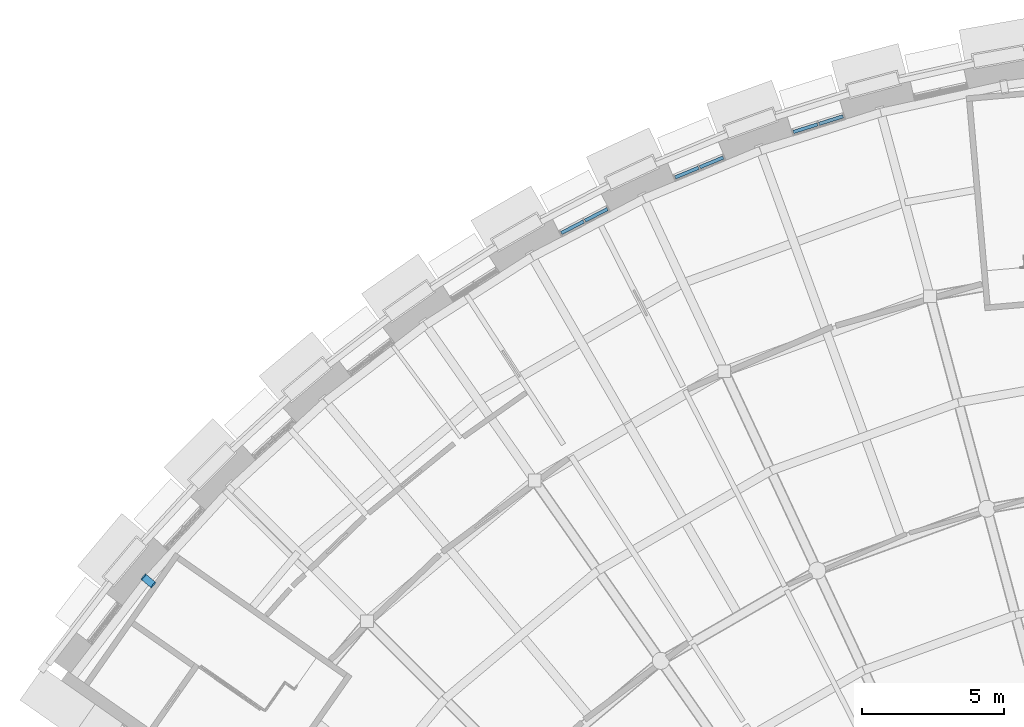
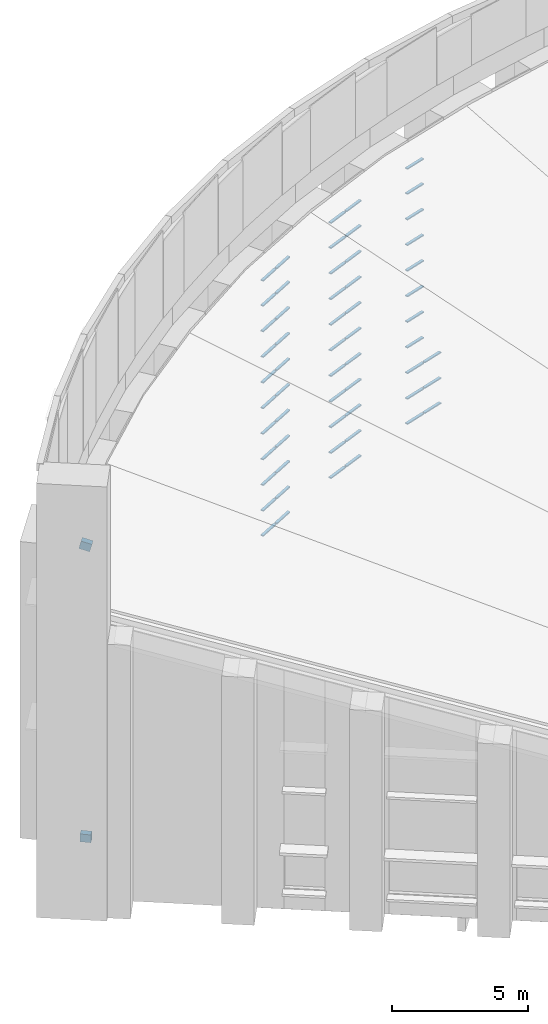
# One storey, part 35 of 82: 58 members, 2 beams, 3 elements without a shape of their own.
"""IFC4 building model written with IfcOpenShell, lengths in metres."""

from ifc_helpers import new_model, si_unit, direction, frame, origin, origin_2d, place, context, subcontext, project, spatial, rectangle, extrude, material, layer, layer_set, material_profile, profile_set, type_object, element, aggregate, save


model = new_model("IFC4")

# Units and contexts
model_context = context("Model", 3, precision=1e-05, world=origin(), true_north=direction((0.0, 1.0)))
body_context = subcontext(model_context, "Body", "Model", "MODEL_VIEW")
ifc_project = project(units=[si_unit("LENGTHUNIT", "METRE"), si_unit("AREAUNIT", "SQUARE_METRE"), si_unit("VOLUMEUNIT", "CUBIC_METRE"), si_unit("PLANEANGLEUNIT", "RADIAN"), si_unit("MASSUNIT", "GRAM", prefix="KILO")], contexts=[model_context])

# Site, building, storey
site_placement = place(None, origin())
site = spatial("IfcSite", under=ifc_project, at=site_placement, CompositionType="ELEMENT")
building_placement = place(site_placement, origin())
building = spatial("IfcBuilding", under=site, at=building_placement, Name="Volute Hill Aquarium", CompositionType="ELEMENT")
storey_placement = place(building_placement, frame((0.0, 0.0, 13.800048828125)))
storey = spatial("IfcBuildingStorey", under=building, at=storey_placement, Name="L04", CompositionType="ELEMENT", Elevation=13.800048828125)

# Curtain wall, members
ifc_material_1 = material(Name="Aluminium", Category="aluminium")
ifc_layer = layer(ifc_material_1, 0.25)
ifc_layer_set = layer_set([ifc_layer], Name="Curtain wall niche S6 module 967")
curtain_wall_type = type_object("IfcCurtainWallType", Name="Curtain wall niche S6 module 967", PredefinedType="NOTDEFINED", material=ifc_layer_set)
curtain_wall_1_placement = place(storey_placement, origin())
curtain_wall_1 = element("IfcCurtainWall", 1, at=curtain_wall_1_placement, inside=storey, type_object=curtain_wall_type, Name="Curtain wall CW S6 L04 3", PredefinedType="NOTDEFINED")
ifc_material_2 = material(Name="Aluminium", Category="aluminium")
ifc_material_profile_1 = material_profile(ifc_material_2, rectangle(XDim=0.1201171875, YDim=0.050048828125, at=origin_2d()), Name="Curtain wall transom S6 50x120")
ifc_profile_set_1 = profile_set([ifc_material_profile_1], Name="Aluminium")
member_type = type_object("IfcMemberType", Name="Curtain wall transom S6 50x120", PredefinedType="USERDEFINED", material=ifc_profile_set_1)
member_1_placement = place(storey_placement, frame((-14.514404296875, 49.0830078125, 0.474853515625), z_axis=(-0.953756274166, -0.30058105311, 0.0), x_axis=(0.30058105311, -0.953756274166, 0.0)))
member_1 = element("IfcMember", 2, at=member_1_placement, type_object=member_type, Name="CW transom 1.1", ObjectType="TRANSOM", PredefinedType="USERDEFINED", context=body_context, shape_type="SweptSolid", body=[
    extrude(rectangle(XDim=0.1201171875, YDim=0.050048828125, at=origin_2d()), origin(), (0.0, 0.0, 1.0), 0.891845703125),
])
member_2_placement = place(storey_placement, frame((-14.514404296875, 49.0830078125, 1.59912109375), z_axis=(-0.953756274166, -0.30058105311, 0.0), x_axis=(0.30058105311, -0.953756274166, 0.0)))
member_2 = element("IfcMember", 3, at=member_2_placement, type_object=member_type, Name="CW transom 1.2", ObjectType="TRANSOM", PredefinedType="USERDEFINED", context=body_context, shape_type="SweptSolid", body=[
    extrude(rectangle(XDim=0.1201171875, YDim=0.050048828125, at=origin_2d()), origin(), (0.0, 0.0, 1.0), 0.891845703125),
])
member_3_placement = place(storey_placement, frame((-14.514404296875, 49.0830078125, 2.748291015625), z_axis=(-0.953756274166, -0.30058105311, 0.0), x_axis=(0.30058105311, -0.953756274166, 0.0)))
member_3 = element("IfcMember", 4, at=member_3_placement, type_object=member_type, Name="CW transom 1.3", ObjectType="TRANSOM", PredefinedType="USERDEFINED", context=body_context, shape_type="SweptSolid", body=[
    extrude(rectangle(XDim=0.1201171875, YDim=0.050048828125, at=origin_2d()), origin(), (0.0, 0.0, 1.0), 0.891845703125),
])
member_4_placement = place(storey_placement, frame((-15.412841796875, 48.7998046875, 0.474853515625), z_axis=(-0.953756274166, -0.30058105311, 0.0), x_axis=(0.30058105311, -0.953756274166, 0.0)))
member_4 = element("IfcMember", 5, at=member_4_placement, type_object=member_type, Name="CW transom 2.1", ObjectType="TRANSOM", PredefinedType="USERDEFINED", context=body_context, shape_type="SweptSolid", body=[
    extrude(rectangle(XDim=0.1201171875, YDim=0.050048828125, at=origin_2d()), origin(), (0.0, 0.0, 1.0), 0.891845703125),
])
member_5_placement = place(storey_placement, frame((-15.412841796875, 48.7998046875, 1.59912109375), z_axis=(-0.953756274166, -0.30058105311, 0.0), x_axis=(0.30058105311, -0.953756274166, 0.0)))
member_5 = element("IfcMember", 6, at=member_5_placement, type_object=member_type, Name="CW transom 2.2", ObjectType="TRANSOM", PredefinedType="USERDEFINED", context=body_context, shape_type="SweptSolid", body=[
    extrude(rectangle(XDim=0.1201171875, YDim=0.050048828125, at=origin_2d()), origin(), (0.0, 0.0, 1.0), 0.891845703125),
])
member_6_placement = place(storey_placement, frame((-15.412841796875, 48.7998046875, 2.748291015625), z_axis=(-0.953756274166, -0.30058105311, 0.0), x_axis=(0.30058105311, -0.953756274166, 0.0)))
member_6 = element("IfcMember", 7, at=member_6_placement, type_object=member_type, Name="CW transom 2.3", ObjectType="TRANSOM", PredefinedType="USERDEFINED", context=body_context, shape_type="SweptSolid", body=[
    extrude(rectangle(XDim=0.1201171875, YDim=0.050048828125, at=origin_2d()), origin(), (0.0, 0.0, 1.0), 0.891845703125),
])
member_7_placement = place(storey_placement, frame((-15.412841796875, 48.7998046875, 3.8974609375), z_axis=(-0.953756274166, -0.30058105311, 0.0), x_axis=(0.30058105311, -0.953756274166, 0.0)))
member_7 = element("IfcMember", 8, at=member_7_placement, type_object=member_type, Name="CW transom 2.4", ObjectType="TRANSOM", PredefinedType="USERDEFINED", context=body_context, shape_type="SweptSolid", body=[
    extrude(rectangle(XDim=0.1201171875, YDim=0.050048828125, at=origin_2d()), origin(), (0.0, 0.0, 1.0), 0.891845703125),
])
member_8_placement = place(storey_placement, frame((-15.412841796875, 48.7998046875, 5.046630859375), z_axis=(-0.953756274166, -0.30058105311, 0.0), x_axis=(0.30058105311, -0.953756274166, 0.0)))
member_8 = element("IfcMember", 9, at=member_8_placement, type_object=member_type, Name="CW transom 2.5", ObjectType="TRANSOM", PredefinedType="USERDEFINED", context=body_context, shape_type="SweptSolid", body=[
    extrude(rectangle(XDim=0.1201171875, YDim=0.050048828125, at=origin_2d()), origin(), (0.0, 0.0, 1.0), 0.891845703125),
])
member_9_placement = place(storey_placement, frame((-15.412841796875, 48.7998046875, 6.195556640625), z_axis=(-0.953756274166, -0.30058105311, 0.0), x_axis=(0.30058105311, -0.953756274166, 0.0)))
member_9 = element("IfcMember", 10, at=member_9_placement, type_object=member_type, Name="CW transom 2.6", ObjectType="TRANSOM", PredefinedType="USERDEFINED", context=body_context, shape_type="SweptSolid", body=[
    extrude(rectangle(XDim=0.1201171875, YDim=0.050048828125, at=origin_2d()), origin(), (0.0, 0.0, 1.0), 0.891845703125),
])
member_10_placement = place(storey_placement, frame((-15.412841796875, 48.7998046875, 7.3447265625), z_axis=(-0.953756274166, -0.30058105311, 0.0), x_axis=(0.30058105311, -0.953756274166, 0.0)))
member_10 = element("IfcMember", 11, at=member_10_placement, type_object=member_type, Name="CW transom 2.7", ObjectType="TRANSOM", PredefinedType="USERDEFINED", context=body_context, shape_type="SweptSolid", body=[
    extrude(rectangle(XDim=0.1201171875, YDim=0.050048828125, at=origin_2d()), origin(), (0.0, 0.0, 1.0), 0.891845703125),
])
member_11_placement = place(storey_placement, frame((-15.412841796875, 48.7998046875, 8.493896484375), z_axis=(-0.953756274166, -0.30058105311, 0.0), x_axis=(0.30058105311, -0.953756274166, 0.0)))
member_11 = element("IfcMember", 12, at=member_11_placement, type_object=member_type, Name="CW transom 2.8", ObjectType="TRANSOM", PredefinedType="USERDEFINED", context=body_context, shape_type="SweptSolid", body=[
    extrude(rectangle(XDim=0.1201171875, YDim=0.050048828125, at=origin_2d()), origin(), (0.0, 0.0, 1.0), 0.891845703125),
])
member_12_placement = place(storey_placement, frame((-15.412841796875, 48.7998046875, 9.64306640625), z_axis=(-0.953756274166, -0.30058105311, 0.0), x_axis=(0.30058105311, -0.953756274166, 0.0)))
member_12 = element("IfcMember", 13, at=member_12_placement, type_object=member_type, Name="CW transom 2.9", ObjectType="TRANSOM", PredefinedType="USERDEFINED", context=body_context, shape_type="SweptSolid", body=[
    extrude(rectangle(XDim=0.1201171875, YDim=0.050048828125, at=origin_2d()), origin(), (0.0, 0.0, 1.0), 0.891845703125),
])
member_13_placement = place(storey_placement, frame((-15.412841796875, 48.7998046875, 10.792236328125), z_axis=(-0.953756274166, -0.30058105311, 0.0), x_axis=(0.30058105311, -0.953756274166, 0.0)))
member_13 = element("IfcMember", 14, at=member_13_placement, type_object=member_type, Name="CW transom 2.10", ObjectType="TRANSOM", PredefinedType="USERDEFINED", context=body_context, shape_type="SweptSolid", body=[
    extrude(rectangle(XDim=0.1201171875, YDim=0.050048828125, at=origin_2d()), origin(), (0.0, 0.0, 1.0), 0.891845703125),
])
member_14_placement = place(storey_placement, frame((-15.412841796875, 48.7998046875, 11.916259765625), z_axis=(-0.953756274166, -0.30058105311, 0.0), x_axis=(0.30058105311, -0.953756274166, 0.0)))
member_14 = element("IfcMember", 15, at=member_14_placement, type_object=member_type, Name="CW transom 2.11", ObjectType="TRANSOM", PredefinedType="USERDEFINED", context=body_context, shape_type="SweptSolid", body=[
    extrude(rectangle(XDim=0.1201171875, YDim=0.050048828125, at=origin_2d()), origin(), (0.0, 0.0, 1.0), 0.891845703125),
])
aggregate(curtain_wall_1, [member_1, member_2, member_3, member_4, member_5, member_6, member_7, member_8, member_9, member_10, member_11, member_12, member_13, member_14])

curtain_wall_2_placement = place(storey_placement, origin())
curtain_wall_2 = element("IfcCurtainWall", 16, at=curtain_wall_2_placement, inside=storey, type_object=curtain_wall_type, Name="Curtain wall CW S6 L04 4", PredefinedType="NOTDEFINED")
member_15_placement = place(storey_placement, frame((-18.737060546875, 47.63134765625, 0.474853515625), z_axis=(-0.923876703835, -0.382690261322, 0.0), x_axis=(0.382690261322, -0.923876703835, 0.0)))
member_15 = element("IfcMember", 17, at=member_15_placement, type_object=member_type, Name="CW transom 1.1", ObjectType="TRANSOM", PredefinedType="USERDEFINED", context=body_context, shape_type="SweptSolid", body=[
    extrude(rectangle(XDim=0.1201171875, YDim=0.050048828125, at=origin_2d()), origin(), (0.0, 0.0, 1.0), 0.891845703125),
])
member_16_placement = place(storey_placement, frame((-18.737060546875, 47.63134765625, 1.59912109375), z_axis=(-0.923876703835, -0.382690261322, 0.0), x_axis=(0.382690261322, -0.923876703835, 0.0)))
member_16 = element("IfcMember", 18, at=member_16_placement, type_object=member_type, Name="CW transom 1.2", ObjectType="TRANSOM", PredefinedType="USERDEFINED", context=body_context, shape_type="SweptSolid", body=[
    extrude(rectangle(XDim=0.1201171875, YDim=0.050048828125, at=origin_2d()), origin(), (0.0, 0.0, 1.0), 0.891845703125),
])
member_17_placement = place(storey_placement, frame((-18.737060546875, 47.63134765625, 2.748291015625), z_axis=(-0.923876703835, -0.382690261322, 0.0), x_axis=(0.382690261322, -0.923876703835, 0.0)))
member_17 = element("IfcMember", 19, at=member_17_placement, type_object=member_type, Name="CW transom 1.3", ObjectType="TRANSOM", PredefinedType="USERDEFINED", context=body_context, shape_type="SweptSolid", body=[
    extrude(rectangle(XDim=0.1201171875, YDim=0.050048828125, at=origin_2d()), origin(), (0.0, 0.0, 1.0), 0.891845703125),
])
member_18_placement = place(storey_placement, frame((-18.737060546875, 47.63134765625, 3.8974609375), z_axis=(-0.923876703835, -0.382690261322, 0.0), x_axis=(0.382690261322, -0.923876703835, 0.0)))
member_18 = element("IfcMember", 20, at=member_18_placement, type_object=member_type, Name="CW transom 1.4", ObjectType="TRANSOM", PredefinedType="USERDEFINED", context=body_context, shape_type="SweptSolid", body=[
    extrude(rectangle(XDim=0.1201171875, YDim=0.050048828125, at=origin_2d()), origin(), (0.0, 0.0, 1.0), 0.891845703125),
])
member_19_placement = place(storey_placement, frame((-18.737060546875, 47.63134765625, 5.046630859375), z_axis=(-0.923876703835, -0.382690261322, 0.0), x_axis=(0.382690261322, -0.923876703835, 0.0)))
member_19 = element("IfcMember", 21, at=member_19_placement, type_object=member_type, Name="CW transom 1.5", ObjectType="TRANSOM", PredefinedType="USERDEFINED", context=body_context, shape_type="SweptSolid", body=[
    extrude(rectangle(XDim=0.1201171875, YDim=0.050048828125, at=origin_2d()), origin(), (0.0, 0.0, 1.0), 0.891845703125),
])
member_20_placement = place(storey_placement, frame((-18.737060546875, 47.63134765625, 6.195556640625), z_axis=(-0.923876703835, -0.382690261322, 0.0), x_axis=(0.382690261322, -0.923876703835, 0.0)))
member_20 = element("IfcMember", 22, at=member_20_placement, type_object=member_type, Name="CW transom 1.6", ObjectType="TRANSOM", PredefinedType="USERDEFINED", context=body_context, shape_type="SweptSolid", body=[
    extrude(rectangle(XDim=0.1201171875, YDim=0.050048828125, at=origin_2d()), origin(), (0.0, 0.0, 1.0), 0.891845703125),
])
member_21_placement = place(storey_placement, frame((-18.737060546875, 47.63134765625, 7.3447265625), z_axis=(-0.923876703835, -0.382690261322, 0.0), x_axis=(0.382690261322, -0.923876703835, 0.0)))
member_21 = element("IfcMember", 23, at=member_21_placement, type_object=member_type, Name="CW transom 1.7", ObjectType="TRANSOM", PredefinedType="USERDEFINED", context=body_context, shape_type="SweptSolid", body=[
    extrude(rectangle(XDim=0.1201171875, YDim=0.050048828125, at=origin_2d()), origin(), (0.0, 0.0, 1.0), 0.891845703125),
])
member_22_placement = place(storey_placement, frame((-18.737060546875, 47.63134765625, 8.493896484375), z_axis=(-0.923876703835, -0.382690261322, 0.0), x_axis=(0.382690261322, -0.923876703835, 0.0)))
member_22 = element("IfcMember", 24, at=member_22_placement, type_object=member_type, Name="CW transom 1.8", ObjectType="TRANSOM", PredefinedType="USERDEFINED", context=body_context, shape_type="SweptSolid", body=[
    extrude(rectangle(XDim=0.1201171875, YDim=0.050048828125, at=origin_2d()), origin(), (0.0, 0.0, 1.0), 0.891845703125),
])
member_23_placement = place(storey_placement, frame((-18.737060546875, 47.63134765625, 9.64306640625), z_axis=(-0.923876703835, -0.382690261322, 0.0), x_axis=(0.382690261322, -0.923876703835, 0.0)))
member_23 = element("IfcMember", 25, at=member_23_placement, type_object=member_type, Name="CW transom 1.9", ObjectType="TRANSOM", PredefinedType="USERDEFINED", context=body_context, shape_type="SweptSolid", body=[
    extrude(rectangle(XDim=0.1201171875, YDim=0.050048828125, at=origin_2d()), origin(), (0.0, 0.0, 1.0), 0.891845703125),
])
member_24_placement = place(storey_placement, frame((-18.737060546875, 47.63134765625, 10.792236328125), z_axis=(-0.923876703835, -0.382690261322, 0.0), x_axis=(0.382690261322, -0.923876703835, 0.0)))
member_24 = element("IfcMember", 26, at=member_24_placement, type_object=member_type, Name="CW transom 1.10", ObjectType="TRANSOM", PredefinedType="USERDEFINED", context=body_context, shape_type="SweptSolid", body=[
    extrude(rectangle(XDim=0.1201171875, YDim=0.050048828125, at=origin_2d()), origin(), (0.0, 0.0, 1.0), 0.891845703125),
])
member_25_placement = place(storey_placement, frame((-18.737060546875, 47.63134765625, 11.916259765625), z_axis=(-0.923876703835, -0.382690261322, 0.0), x_axis=(0.382690261322, -0.923876703835, 0.0)))
member_25 = element("IfcMember", 27, at=member_25_placement, type_object=member_type, Name="CW transom 1.11", ObjectType="TRANSOM", PredefinedType="USERDEFINED", context=body_context, shape_type="SweptSolid", body=[
    extrude(rectangle(XDim=0.1201171875, YDim=0.050048828125, at=origin_2d()), origin(), (0.0, 0.0, 1.0), 0.891845703125),
])
member_26_placement = place(storey_placement, frame((-19.607177734375, 47.270751953125, 0.474853515625), z_axis=(-0.92391677854, -0.382593500118, 0.0), x_axis=(0.382593500118, -0.92391677854, 0.0)))
member_26 = element("IfcMember", 28, at=member_26_placement, type_object=member_type, Name="CW transom 2.1", ObjectType="TRANSOM", PredefinedType="USERDEFINED", context=body_context, shape_type="SweptSolid", body=[
    extrude(rectangle(XDim=0.1201171875, YDim=0.050048828125, at=origin_2d()), origin(), (0.0, 0.0, 1.0), 0.89208984375),
])
member_27_placement = place(storey_placement, frame((-19.607177734375, 47.270751953125, 1.59912109375), z_axis=(-0.92391677854, -0.382593500118, 0.0), x_axis=(0.382593500118, -0.92391677854, 0.0)))
member_27 = element("IfcMember", 29, at=member_27_placement, type_object=member_type, Name="CW transom 2.2", ObjectType="TRANSOM", PredefinedType="USERDEFINED", context=body_context, shape_type="SweptSolid", body=[
    extrude(rectangle(XDim=0.1201171875, YDim=0.050048828125, at=origin_2d()), origin(), (0.0, 0.0, 1.0), 0.89208984375),
])
member_28_placement = place(storey_placement, frame((-19.607177734375, 47.270751953125, 2.748291015625), z_axis=(-0.92391677854, -0.382593500118, 0.0), x_axis=(0.382593500118, -0.92391677854, 0.0)))
member_28 = element("IfcMember", 30, at=member_28_placement, type_object=member_type, Name="CW transom 2.3", ObjectType="TRANSOM", PredefinedType="USERDEFINED", context=body_context, shape_type="SweptSolid", body=[
    extrude(rectangle(XDim=0.1201171875, YDim=0.050048828125, at=origin_2d()), origin(), (0.0, 0.0, 1.0), 0.89208984375),
])
member_29_placement = place(storey_placement, frame((-19.607177734375, 47.270751953125, 3.8974609375), z_axis=(-0.92391677854, -0.382593500118, 0.0), x_axis=(0.382593500118, -0.92391677854, 0.0)))
member_29 = element("IfcMember", 31, at=member_29_placement, type_object=member_type, Name="CW transom 2.4", ObjectType="TRANSOM", PredefinedType="USERDEFINED", context=body_context, shape_type="SweptSolid", body=[
    extrude(rectangle(XDim=0.1201171875, YDim=0.050048828125, at=origin_2d()), origin(), (0.0, 0.0, 1.0), 0.89208984375),
])
member_30_placement = place(storey_placement, frame((-19.607177734375, 47.270751953125, 5.046630859375), z_axis=(-0.92391677854, -0.382593500118, 0.0), x_axis=(0.382593500118, -0.92391677854, 0.0)))
member_30 = element("IfcMember", 32, at=member_30_placement, type_object=member_type, Name="CW transom 2.5", ObjectType="TRANSOM", PredefinedType="USERDEFINED", context=body_context, shape_type="SweptSolid", body=[
    extrude(rectangle(XDim=0.1201171875, YDim=0.050048828125, at=origin_2d()), origin(), (0.0, 0.0, 1.0), 0.89208984375),
])
member_31_placement = place(storey_placement, frame((-19.607177734375, 47.270751953125, 6.195556640625), z_axis=(-0.92391677854, -0.382593500118, 0.0), x_axis=(0.382593500118, -0.92391677854, 0.0)))
member_31 = element("IfcMember", 33, at=member_31_placement, type_object=member_type, Name="CW transom 2.6", ObjectType="TRANSOM", PredefinedType="USERDEFINED", context=body_context, shape_type="SweptSolid", body=[
    extrude(rectangle(XDim=0.1201171875, YDim=0.050048828125, at=origin_2d()), origin(), (0.0, 0.0, 1.0), 0.89208984375),
])
member_32_placement = place(storey_placement, frame((-19.607177734375, 47.270751953125, 7.3447265625), z_axis=(-0.92391677854, -0.382593500118, 0.0), x_axis=(0.382593500118, -0.92391677854, 0.0)))
member_32 = element("IfcMember", 34, at=member_32_placement, type_object=member_type, Name="CW transom 2.7", ObjectType="TRANSOM", PredefinedType="USERDEFINED", context=body_context, shape_type="SweptSolid", body=[
    extrude(rectangle(XDim=0.1201171875, YDim=0.050048828125, at=origin_2d()), origin(), (0.0, 0.0, 1.0), 0.89208984375),
])
member_33_placement = place(storey_placement, frame((-19.607177734375, 47.270751953125, 8.493896484375), z_axis=(-0.92391677854, -0.382593500118, 0.0), x_axis=(0.382593500118, -0.92391677854, 0.0)))
member_33 = element("IfcMember", 35, at=member_33_placement, type_object=member_type, Name="CW transom 2.8", ObjectType="TRANSOM", PredefinedType="USERDEFINED", context=body_context, shape_type="SweptSolid", body=[
    extrude(rectangle(XDim=0.1201171875, YDim=0.050048828125, at=origin_2d()), origin(), (0.0, 0.0, 1.0), 0.89208984375),
])
member_34_placement = place(storey_placement, frame((-19.607177734375, 47.270751953125, 9.64306640625), z_axis=(-0.92391677854, -0.382593500118, 0.0), x_axis=(0.382593500118, -0.92391677854, 0.0)))
member_34 = element("IfcMember", 36, at=member_34_placement, type_object=member_type, Name="CW transom 2.9", ObjectType="TRANSOM", PredefinedType="USERDEFINED", context=body_context, shape_type="SweptSolid", body=[
    extrude(rectangle(XDim=0.1201171875, YDim=0.050048828125, at=origin_2d()), origin(), (0.0, 0.0, 1.0), 0.89208984375),
])
member_35_placement = place(storey_placement, frame((-19.607177734375, 47.270751953125, 10.792236328125), z_axis=(-0.92391677854, -0.382593500118, 0.0), x_axis=(0.382593500118, -0.92391677854, 0.0)))
member_35 = element("IfcMember", 37, at=member_35_placement, type_object=member_type, Name="CW transom 2.10", ObjectType="TRANSOM", PredefinedType="USERDEFINED", context=body_context, shape_type="SweptSolid", body=[
    extrude(rectangle(XDim=0.1201171875, YDim=0.050048828125, at=origin_2d()), origin(), (0.0, 0.0, 1.0), 0.89208984375),
])
member_36_placement = place(storey_placement, frame((-19.607177734375, 47.270751953125, 11.916259765625), z_axis=(-0.92391677854, -0.382593500118, 0.0), x_axis=(0.382593500118, -0.92391677854, 0.0)))
member_36 = element("IfcMember", 38, at=member_36_placement, type_object=member_type, Name="CW transom 2.11", ObjectType="TRANSOM", PredefinedType="USERDEFINED", context=body_context, shape_type="SweptSolid", body=[
    extrude(rectangle(XDim=0.1201171875, YDim=0.050048828125, at=origin_2d()), origin(), (0.0, 0.0, 1.0), 0.89208984375),
])
aggregate(curtain_wall_2, [member_15, member_16, member_17, member_18, member_19, member_20, member_21, member_22, member_23, member_24, member_25, member_26, member_27, member_28, member_29, member_30, member_31, member_32, member_33, member_34, member_35, member_36])

curtain_wall_3_placement = place(storey_placement, origin())
curtain_wall_3 = element("IfcCurtainWall", 39, at=curtain_wall_3_placement, inside=storey, type_object=curtain_wall_type, Name="Curtain wall CW S6 L04 5", PredefinedType="NOTDEFINED")
member_37_placement = place(storey_placement, frame((-22.817138671875, 45.81689453125, 0.474853515625), z_axis=(-0.887082281901, -0.461611335582, 0.0), x_axis=(0.461611335582, -0.887082281901, 0.0)))
member_37 = element("IfcMember", 40, at=member_37_placement, type_object=member_type, Name="CW transom 1.1", ObjectType="TRANSOM", PredefinedType="USERDEFINED", context=body_context, shape_type="SweptSolid", body=[
    extrude(rectangle(XDim=0.1201171875, YDim=0.050048828125, at=origin_2d()), origin(), (0.0, 0.0, 1.0), 0.8916015625),
])
member_38_placement = place(storey_placement, frame((-22.817138671875, 45.81689453125, 1.59912109375), z_axis=(-0.887082281901, -0.461611335582, 0.0), x_axis=(0.461611335582, -0.887082281901, 0.0)))
member_38 = element("IfcMember", 41, at=member_38_placement, type_object=member_type, Name="CW transom 1.2", ObjectType="TRANSOM", PredefinedType="USERDEFINED", context=body_context, shape_type="SweptSolid", body=[
    extrude(rectangle(XDim=0.1201171875, YDim=0.050048828125, at=origin_2d()), origin(), (0.0, 0.0, 1.0), 0.8916015625),
])
member_39_placement = place(storey_placement, frame((-22.817138671875, 45.81689453125, 2.748291015625), z_axis=(-0.887082281901, -0.461611335582, 0.0), x_axis=(0.461611335582, -0.887082281901, 0.0)))
member_39 = element("IfcMember", 42, at=member_39_placement, type_object=member_type, Name="CW transom 1.3", ObjectType="TRANSOM", PredefinedType="USERDEFINED", context=body_context, shape_type="SweptSolid", body=[
    extrude(rectangle(XDim=0.1201171875, YDim=0.050048828125, at=origin_2d()), origin(), (0.0, 0.0, 1.0), 0.8916015625),
])
member_40_placement = place(storey_placement, frame((-22.817138671875, 45.81689453125, 3.8974609375), z_axis=(-0.887082281901, -0.461611335582, 0.0), x_axis=(0.461611335582, -0.887082281901, 0.0)))
member_40 = element("IfcMember", 43, at=member_40_placement, type_object=member_type, Name="CW transom 1.4", ObjectType="TRANSOM", PredefinedType="USERDEFINED", context=body_context, shape_type="SweptSolid", body=[
    extrude(rectangle(XDim=0.1201171875, YDim=0.050048828125, at=origin_2d()), origin(), (0.0, 0.0, 1.0), 0.8916015625),
])
member_41_placement = place(storey_placement, frame((-22.817138671875, 45.81689453125, 5.046630859375), z_axis=(-0.887082281901, -0.461611335582, 0.0), x_axis=(0.461611335582, -0.887082281901, 0.0)))
member_41 = element("IfcMember", 44, at=member_41_placement, type_object=member_type, Name="CW transom 1.5", ObjectType="TRANSOM", PredefinedType="USERDEFINED", context=body_context, shape_type="SweptSolid", body=[
    extrude(rectangle(XDim=0.1201171875, YDim=0.050048828125, at=origin_2d()), origin(), (0.0, 0.0, 1.0), 0.8916015625),
])
member_42_placement = place(storey_placement, frame((-22.817138671875, 45.81689453125, 6.195556640625), z_axis=(-0.887082281901, -0.461611335582, 0.0), x_axis=(0.461611335582, -0.887082281901, 0.0)))
member_42 = element("IfcMember", 45, at=member_42_placement, type_object=member_type, Name="CW transom 1.6", ObjectType="TRANSOM", PredefinedType="USERDEFINED", context=body_context, shape_type="SweptSolid", body=[
    extrude(rectangle(XDim=0.1201171875, YDim=0.050048828125, at=origin_2d()), origin(), (0.0, 0.0, 1.0), 0.8916015625),
])
member_43_placement = place(storey_placement, frame((-22.817138671875, 45.81689453125, 7.3447265625), z_axis=(-0.887082281901, -0.461611335582, 0.0), x_axis=(0.461611335582, -0.887082281901, 0.0)))
member_43 = element("IfcMember", 46, at=member_43_placement, type_object=member_type, Name="CW transom 1.7", ObjectType="TRANSOM", PredefinedType="USERDEFINED", context=body_context, shape_type="SweptSolid", body=[
    extrude(rectangle(XDim=0.1201171875, YDim=0.050048828125, at=origin_2d()), origin(), (0.0, 0.0, 1.0), 0.8916015625),
])
member_44_placement = place(storey_placement, frame((-22.817138671875, 45.81689453125, 8.493896484375), z_axis=(-0.887082281901, -0.461611335582, 0.0), x_axis=(0.461611335582, -0.887082281901, 0.0)))
member_44 = element("IfcMember", 47, at=member_44_placement, type_object=member_type, Name="CW transom 1.8", ObjectType="TRANSOM", PredefinedType="USERDEFINED", context=body_context, shape_type="SweptSolid", body=[
    extrude(rectangle(XDim=0.1201171875, YDim=0.050048828125, at=origin_2d()), origin(), (0.0, 0.0, 1.0), 0.8916015625),
])
member_45_placement = place(storey_placement, frame((-22.817138671875, 45.81689453125, 9.64306640625), z_axis=(-0.887082281901, -0.461611335582, 0.0), x_axis=(0.461611335582, -0.887082281901, 0.0)))
member_45 = element("IfcMember", 48, at=member_45_placement, type_object=member_type, Name="CW transom 1.9", ObjectType="TRANSOM", PredefinedType="USERDEFINED", context=body_context, shape_type="SweptSolid", body=[
    extrude(rectangle(XDim=0.1201171875, YDim=0.050048828125, at=origin_2d()), origin(), (0.0, 0.0, 1.0), 0.8916015625),
])
member_46_placement = place(storey_placement, frame((-22.817138671875, 45.81689453125, 10.792236328125), z_axis=(-0.887082281901, -0.461611335582, 0.0), x_axis=(0.461611335582, -0.887082281901, 0.0)))
member_46 = element("IfcMember", 49, at=member_46_placement, type_object=member_type, Name="CW transom 1.10", ObjectType="TRANSOM", PredefinedType="USERDEFINED", context=body_context, shape_type="SweptSolid", body=[
    extrude(rectangle(XDim=0.1201171875, YDim=0.050048828125, at=origin_2d()), origin(), (0.0, 0.0, 1.0), 0.8916015625),
])
member_47_placement = place(storey_placement, frame((-22.817138671875, 45.81689453125, 11.916259765625), z_axis=(-0.887082281901, -0.461611335582, 0.0), x_axis=(0.461611335582, -0.887082281901, 0.0)))
member_47 = element("IfcMember", 50, at=member_47_placement, type_object=member_type, Name="CW transom 1.11", ObjectType="TRANSOM", PredefinedType="USERDEFINED", context=body_context, shape_type="SweptSolid", body=[
    extrude(rectangle(XDim=0.1201171875, YDim=0.050048828125, at=origin_2d()), origin(), (0.0, 0.0, 1.0), 0.8916015625),
])
member_48_placement = place(storey_placement, frame((-23.652587890625, 45.382080078125, 0.474853515625), z_axis=(-0.886970156065, -0.46182674484, 0.0), x_axis=(0.46182674484, -0.886970156065, 0.0)))
member_48 = element("IfcMember", 51, at=member_48_placement, type_object=member_type, Name="CW transom 2.1", ObjectType="TRANSOM", PredefinedType="USERDEFINED", context=body_context, shape_type="SweptSolid", body=[
    extrude(rectangle(XDim=0.1201171875, YDim=0.050048828125, at=origin_2d()), origin(), (0.0, 0.0, 1.0), 0.891845703125),
])
member_49_placement = place(storey_placement, frame((-23.652587890625, 45.382080078125, 1.59912109375), z_axis=(-0.886970156065, -0.46182674484, 0.0), x_axis=(0.46182674484, -0.886970156065, 0.0)))
member_49 = element("IfcMember", 52, at=member_49_placement, type_object=member_type, Name="CW transom 2.2", ObjectType="TRANSOM", PredefinedType="USERDEFINED", context=body_context, shape_type="SweptSolid", body=[
    extrude(rectangle(XDim=0.1201171875, YDim=0.050048828125, at=origin_2d()), origin(), (0.0, 0.0, 1.0), 0.891845703125),
])
member_50_placement = place(storey_placement, frame((-23.652587890625, 45.382080078125, 2.748291015625), z_axis=(-0.886970156065, -0.46182674484, 0.0), x_axis=(0.46182674484, -0.886970156065, 0.0)))
member_50 = element("IfcMember", 53, at=member_50_placement, type_object=member_type, Name="CW transom 2.3", ObjectType="TRANSOM", PredefinedType="USERDEFINED", context=body_context, shape_type="SweptSolid", body=[
    extrude(rectangle(XDim=0.1201171875, YDim=0.050048828125, at=origin_2d()), origin(), (0.0, 0.0, 1.0), 0.891845703125),
])
member_51_placement = place(storey_placement, frame((-23.652587890625, 45.382080078125, 3.8974609375), z_axis=(-0.886970156065, -0.46182674484, 0.0), x_axis=(0.46182674484, -0.886970156065, 0.0)))
member_51 = element("IfcMember", 54, at=member_51_placement, type_object=member_type, Name="CW transom 2.4", ObjectType="TRANSOM", PredefinedType="USERDEFINED", context=body_context, shape_type="SweptSolid", body=[
    extrude(rectangle(XDim=0.1201171875, YDim=0.050048828125, at=origin_2d()), origin(), (0.0, 0.0, 1.0), 0.891845703125),
])
member_52_placement = place(storey_placement, frame((-23.652587890625, 45.382080078125, 5.046630859375), z_axis=(-0.886970156065, -0.46182674484, 0.0), x_axis=(0.46182674484, -0.886970156065, 0.0)))
member_52 = element("IfcMember", 55, at=member_52_placement, type_object=member_type, Name="CW transom 2.5", ObjectType="TRANSOM", PredefinedType="USERDEFINED", context=body_context, shape_type="SweptSolid", body=[
    extrude(rectangle(XDim=0.1201171875, YDim=0.050048828125, at=origin_2d()), origin(), (0.0, 0.0, 1.0), 0.891845703125),
])
member_53_placement = place(storey_placement, frame((-23.652587890625, 45.382080078125, 6.195556640625), z_axis=(-0.886970156065, -0.46182674484, 0.0), x_axis=(0.46182674484, -0.886970156065, 0.0)))
member_53 = element("IfcMember", 56, at=member_53_placement, type_object=member_type, Name="CW transom 2.6", ObjectType="TRANSOM", PredefinedType="USERDEFINED", context=body_context, shape_type="SweptSolid", body=[
    extrude(rectangle(XDim=0.1201171875, YDim=0.050048828125, at=origin_2d()), origin(), (0.0, 0.0, 1.0), 0.891845703125),
])
member_54_placement = place(storey_placement, frame((-23.652587890625, 45.382080078125, 7.3447265625), z_axis=(-0.886970156065, -0.46182674484, 0.0), x_axis=(0.46182674484, -0.886970156065, 0.0)))
member_54 = element("IfcMember", 57, at=member_54_placement, type_object=member_type, Name="CW transom 2.7", ObjectType="TRANSOM", PredefinedType="USERDEFINED", context=body_context, shape_type="SweptSolid", body=[
    extrude(rectangle(XDim=0.1201171875, YDim=0.050048828125, at=origin_2d()), origin(), (0.0, 0.0, 1.0), 0.891845703125),
])
member_55_placement = place(storey_placement, frame((-23.652587890625, 45.382080078125, 8.493896484375), z_axis=(-0.886970156065, -0.46182674484, 0.0), x_axis=(0.46182674484, -0.886970156065, 0.0)))
member_55 = element("IfcMember", 58, at=member_55_placement, type_object=member_type, Name="CW transom 2.8", ObjectType="TRANSOM", PredefinedType="USERDEFINED", context=body_context, shape_type="SweptSolid", body=[
    extrude(rectangle(XDim=0.1201171875, YDim=0.050048828125, at=origin_2d()), origin(), (0.0, 0.0, 1.0), 0.891845703125),
])
member_56_placement = place(storey_placement, frame((-23.652587890625, 45.382080078125, 9.64306640625), z_axis=(-0.886970156065, -0.46182674484, 0.0), x_axis=(0.46182674484, -0.886970156065, 0.0)))
member_56 = element("IfcMember", 59, at=member_56_placement, type_object=member_type, Name="CW transom 2.9", ObjectType="TRANSOM", PredefinedType="USERDEFINED", context=body_context, shape_type="SweptSolid", body=[
    extrude(rectangle(XDim=0.1201171875, YDim=0.050048828125, at=origin_2d()), origin(), (0.0, 0.0, 1.0), 0.891845703125),
])
member_57_placement = place(storey_placement, frame((-23.652587890625, 45.382080078125, 10.792236328125), z_axis=(-0.886970156065, -0.46182674484, 0.0), x_axis=(0.46182674484, -0.886970156065, 0.0)))
member_57 = element("IfcMember", 60, at=member_57_placement, type_object=member_type, Name="CW transom 2.10", ObjectType="TRANSOM", PredefinedType="USERDEFINED", context=body_context, shape_type="SweptSolid", body=[
    extrude(rectangle(XDim=0.1201171875, YDim=0.050048828125, at=origin_2d()), origin(), (0.0, 0.0, 1.0), 0.891845703125),
])
member_58_placement = place(storey_placement, frame((-23.652587890625, 45.382080078125, 11.916259765625), z_axis=(-0.886970156065, -0.46182674484, 0.0), x_axis=(0.46182674484, -0.886970156065, 0.0)))
member_58 = element("IfcMember", 61, at=member_58_placement, type_object=member_type, Name="CW transom 2.11", ObjectType="TRANSOM", PredefinedType="USERDEFINED", context=body_context, shape_type="SweptSolid", body=[
    extrude(rectangle(XDim=0.1201171875, YDim=0.050048828125, at=origin_2d()), origin(), (0.0, 0.0, 1.0), 0.891845703125),
])
aggregate(curtain_wall_3, [member_37, member_38, member_39, member_40, member_41, member_42, member_43, member_44, member_45, member_46, member_47, member_48, member_49, member_50, member_51, member_52, member_53, member_54, member_55, member_56, member_57, member_58])

# Beams
ifc_material_3 = material(Name="Concrete C35/45", Category="concrete")
ifc_material_profile_2 = material_profile(ifc_material_3, rectangle(XDim=0.25, YDim=0.35009765625, at=origin_2d()), Name="RC joist 250x350")
ifc_profile_set_2 = profile_set([ifc_material_profile_2], Name="Concrete C35/45")
beam_type = type_object("IfcBeamType", Name="Joist 250x350 C35/45", PredefinedType="BEAM", material=ifc_profile_set_2)
beam_1_placement = place(storey_placement, frame((-38.8330078125, 32.584716796875, -0.4951171875), z_axis=(-0.766153455411, 0.642657671519, 0.0), x_axis=(-0.642657671519, -0.766153455411, 0.0)))
element("IfcBeam", 62, at=beam_1_placement, inside=storey, type_object=beam_type, Name="bm/S6/L04/rjst10", PredefinedType="BEAM", context=body_context, shape_type="SweptSolid", body=[
    extrude(rectangle(XDim=0.25, YDim=0.35009765625, at=origin_2d()), origin(), (0.0, 0.0, 1.0), 0.4072265625),
])
beam_2_placement = place(storey_placement, frame((-38.8330078125, 32.584716796875, 12.54443359375), z_axis=(-0.741899621208, 0.622313297289, 0.249621938278), x_axis=(-0.642657671519, -0.766153455411, 0.0)))
element("IfcBeam", 63, at=beam_2_placement, inside=storey, type_object=beam_type, Name="rb/S6/L04/rjst10", PredefinedType="BEAM", context=body_context, shape_type="SweptSolid", body=[
    extrude(rectangle(XDim=0.25, YDim=0.35009765625, at=origin_2d()), origin(), (0.0, 0.0, 1.0), 0.420654296875),
])

save(model, "model.ifc")
